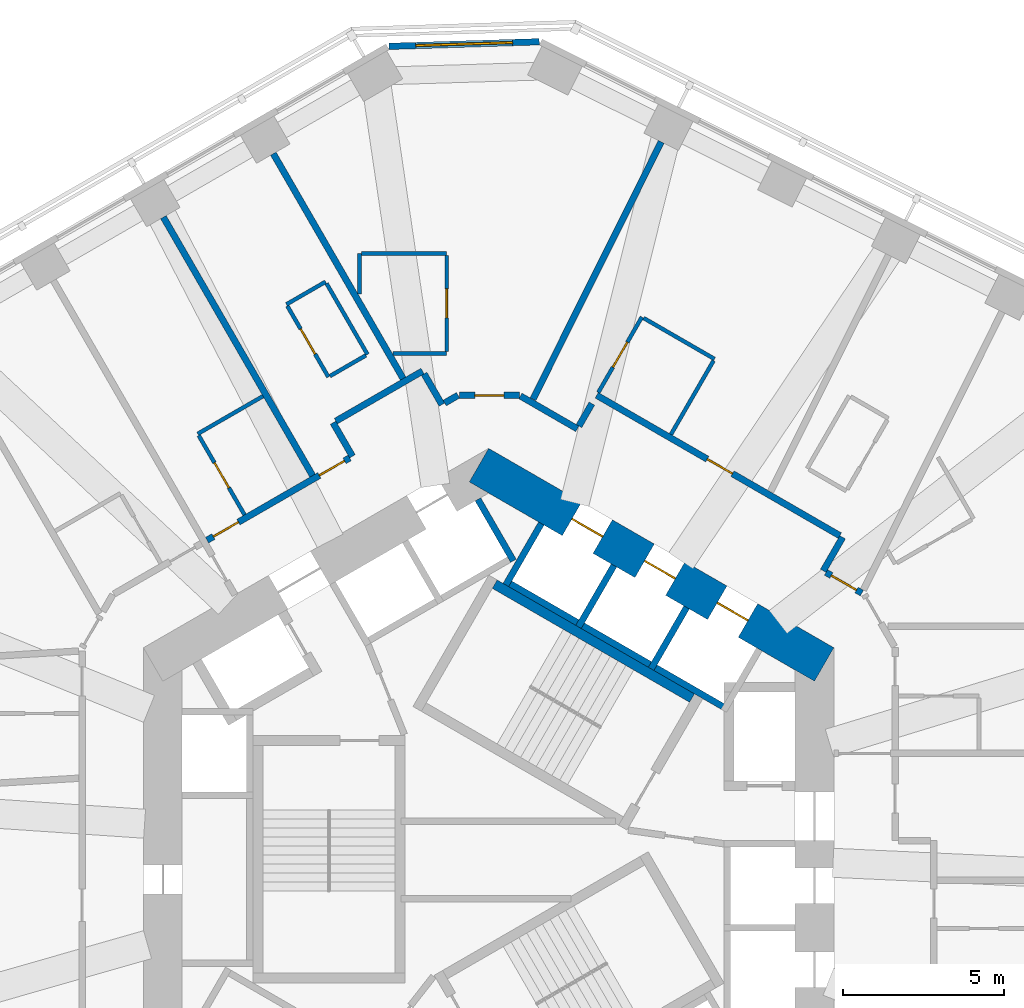
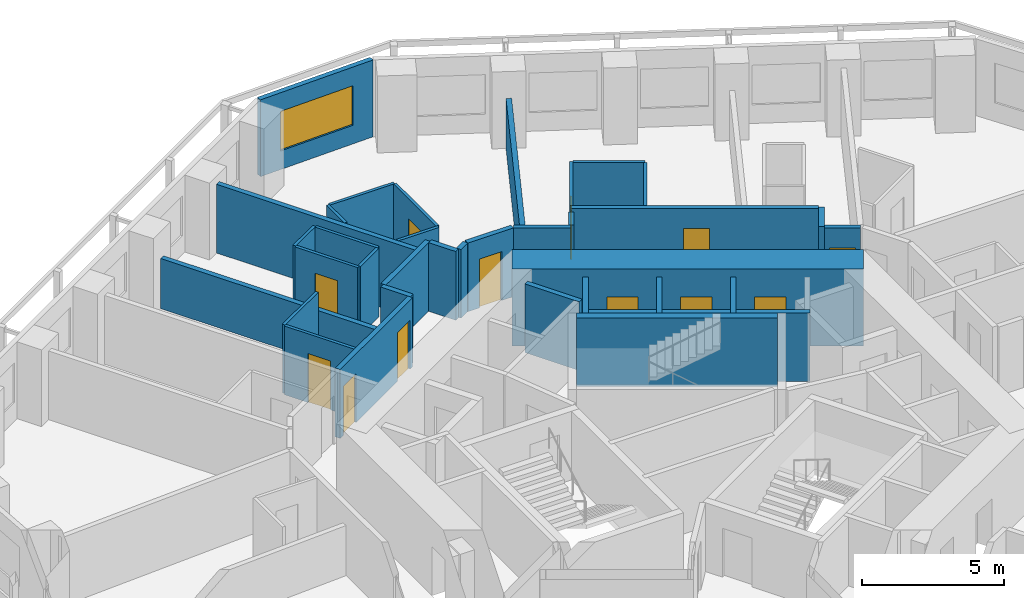
# One storey, part 8 of 12: 35 walls, 12 doors, 1 window, 13 openings.
"""IFC4 building model written with IfcOpenShell, lengths in metres."""

from ifc_helpers import new_model, si_unit, direction, frame, frame_2d, origin, place, context, subcontext, project, spatial, rectangle, extrude, material, layer, layer_set, type_object, element, fill, save


model = new_model("IFC4")

# Units and contexts
model_context = context("Model", 3, precision=1e-05, world=origin(), true_north=direction((0.0, 1.0)))
body_context = subcontext(model_context, "Body", "Model", "MODEL_VIEW")
ifc_project = project(units=[si_unit("LENGTHUNIT", "METRE"), si_unit("AREAUNIT", "SQUARE_METRE"), si_unit("VOLUMEUNIT", "CUBIC_METRE"), si_unit("PLANEANGLEUNIT", "RADIAN"), si_unit("MASSUNIT", "GRAM", prefix="KILO")], contexts=[model_context])

# Site, building, storey
site_placement = place(None, origin())
site = spatial("IfcSite", under=ifc_project, at=site_placement, CompositionType="ELEMENT")
building_placement = place(site_placement, origin())
building = spatial("IfcBuilding", under=site, at=building_placement, Name="Vanh Sen Convention Tower", CompositionType="ELEMENT")
storey_placement = place(building_placement, frame((0.0, 0.0, 73.699951171875)))
storey = spatial("IfcBuildingStorey", under=building, at=storey_placement, Name="L16", CompositionType="ELEMENT", Elevation=73.699951171875)

# Wall
ifc_material_1 = material(Name="Moisture-resistant gypsum board on steel studs", Category="steel")
ifc_layer_1 = layer(ifc_material_1, 0.1201171875)
ifc_layer_set_1 = layer_set([ifc_layer_1], Name="Moisture-resistant gypsum board on steel studs")
wall_type_1 = type_object("IfcWallType", Name="Bathroom partition 120", PredefinedType="PARTITIONING", material=ifc_layer_set_1)
wall_1_placement = place(storey_placement, frame((-9.016357421875, 12.8076171875, 0.0), z_axis=(0.0, 0.0, 1.0), x_axis=(0.86600796803, 0.500030198396, 0.0)))
element("IfcWall", 1, at=wall_1_placement, inside=storey, type_object=wall_type_1, Name="Bathroom partition 120", PredefinedType="PARTITIONING", context=body_context, shape_type="SweptSolid", body=[
    extrude(rectangle(XDim=2.334716796875, YDim=0.1201171875, at=frame_2d((1.16748046875, 0.0))), origin(), (0.0, 0.0, 1.0), 2.949951171875),
])

# Wall, opening, door
wall_2_placement = place(storey_placement, frame((-7.56640625, 10.296142578125, 0.0), z_axis=(0.0, 0.0, 1.0), x_axis=(-0.499985389037, 0.866033839264, 0.0)))
wall_2 = element("IfcWall", 2, at=wall_2_placement, inside=storey, type_object=wall_type_1, Name="Bathroom partition 120", PredefinedType="PARTITIONING", context=body_context, shape_type="SweptSolid", body=[
    extrude(rectangle(XDim=2.83984375, YDim=0.1201171875, at=frame_2d((1.419921875, 0.0))), origin(), (0.0, 0.0, 1.0), 2.949951171875),
])
opening_1_placement = place(wall_2_placement, frame((0.969970703125, 0.0, 0.0)))
opening_1 = element("IfcOpeningElement", 3, at=opening_1_placement, cuts=wall_2, Name="Opening D16117", PredefinedType="OPENING", context=body_context, shape_type="SweptSolid", body=[
    extrude(rectangle(XDim=0.89990234375, YDim=2.10009765625, at=frame_2d((0.449951171875, 1.050048828125))), frame((0.0, 0.070068359375, 0.0), z_axis=(0.0, -1.0, 0.0), x_axis=(1.0, 0.0, 0.0)), (0.0, 0.0, 1.0), 0.14013671875),
])
ifc_material_2 = material(Name="Laminate door in steel frame", Category="steel")
door_type_1 = type_object("IfcDoorType", Name="En-suite door 900", OperationType="SINGLE_SWING_LEFT", PredefinedType="DOOR", material=ifc_material_2)
door_1_placement = place(opening_1_placement, origin())
door_1 = element("IfcDoor", 4, at=door_1_placement, inside=storey, type_object=door_type_1, Name="En-suite door D16117", OperationType="SINGLE_SWING_LEFT", OverallHeight=2.10009765625, OverallWidth=0.89990234375, PredefinedType="DOOR", context=body_context, shape_type="SweptSolid", body=[
    extrude(rectangle(XDim=0.89990234375, YDim=2.10009765625, at=frame_2d((0.449951171875, 1.050048828125))), frame((0.0, 0.02490234375, 0.0), z_axis=(0.0, -1.0, 0.0), x_axis=(1.0, 0.0, 0.0)), (0.0, 0.0, 1.0), 0.050048828125),
])
fill(opening_1, door_1)

# Walls
wall_3_placement = place(storey_placement, frame((-6.268310546875, 16.8203125, 0.0), z_axis=(0.0, 0.0, 1.0), x_axis=(0.866002662425, 0.500039387122, 0.0)))
element("IfcWall", 5, at=wall_3_placement, inside=storey, type_object=wall_type_1, Name="Bathroom partition 120", PredefinedType="PARTITIONING", context=body_context, shape_type="SweptSolid", body=[
    extrude(rectangle(XDim=1.400390625, YDim=0.1201171875, at=frame_2d((0.7001953125, 0.0))), origin(), (0.0, 0.0, 1.0), 2.949951171875),
])
wall_4_placement = place(storey_placement, frame((-5.025634765625, 17.468505859375, 0.0), z_axis=(0.0, 0.0, 1.0), x_axis=(0.500005339912, -0.866022320763, 0.0)))
element("IfcWall", 6, at=wall_4_placement, inside=storey, type_object=wall_type_1, Name="Bathroom partition 120", PredefinedType="PARTITIONING", context=body_context, shape_type="SweptSolid", body=[
    extrude(rectangle(XDim=2.5400390625, YDim=0.1201171875, at=frame_2d((1.27001953125, 0.0))), origin(), (0.0, 0.0, 1.0), 2.949951171875),
])

# Wall, opening, door
wall_5_placement = place(storey_placement, frame((-4.96826171875, 14.56884765625, 0.0), z_axis=(0.0, 0.0, 1.0), x_axis=(-0.500046963369, 0.865998287773, 0.0)))
wall_5 = element("IfcWall", 7, at=wall_5_placement, inside=storey, type_object=wall_type_1, Name="Bathroom partition 120", PredefinedType="PARTITIONING", context=body_context, shape_type="SweptSolid", body=[
    extrude(rectangle(XDim=2.539794921875, YDim=0.1201171875, at=frame_2d((1.27001953125, 0.0))), origin(), (0.0, 0.0, 1.0), 2.949951171875),
])
opening_2_placement = place(wall_5_placement, frame((0.820068359375, 0.0, 0.0)))
opening_2 = element("IfcOpeningElement", 8, at=opening_2_placement, cuts=wall_5, Name="Opening D16115", PredefinedType="OPENING", context=body_context, shape_type="SweptSolid", body=[
    extrude(rectangle(XDim=0.89990234375, YDim=2.10009765625, at=frame_2d((0.449951171875, 1.050048828125))), frame((0.0, 0.070068359375, 0.0), z_axis=(0.0, -1.0, 0.0), x_axis=(1.0, 0.0, 0.0)), (0.0, 0.0, 1.0), 0.14013671875),
])
door_2_placement = place(opening_2_placement, origin())
door_2 = element("IfcDoor", 9, at=door_2_placement, inside=storey, type_object=door_type_1, Name="En-suite door D16115", OperationType="SINGLE_SWING_LEFT", OverallHeight=2.10009765625, OverallWidth=0.89990234375, PredefinedType="DOOR", context=body_context, shape_type="SweptSolid", body=[
    extrude(rectangle(XDim=0.89990234375, YDim=2.10009765625, at=frame_2d((0.449951171875, 1.050048828125))), frame((0.0, 0.02490234375, 0.0), z_axis=(0.0, -1.0, 0.0), x_axis=(1.0, 0.0, 0.0)), (0.0, 0.0, 1.0), 0.050048828125),
])
fill(opening_2, door_2)

# Walls
wall_6_placement = place(storey_placement, frame((-4.0, 17.137451171875, 0.0), z_axis=(0.0, 0.0, 1.0), x_axis=(0.0, 1.0, 0.0)))
element("IfcWall", 10, at=wall_6_placement, inside=storey, type_object=wall_type_1, Name="Bathroom partition 120", PredefinedType="PARTITIONING", context=body_context, shape_type="SweptSolid", body=[
    extrude(rectangle(XDim=1.26318359375, YDim=0.1201171875, at=frame_2d((0.631591796875, 0.0))), origin(), (0.0, 0.0, 1.0), 2.949951171875),
])
wall_7_placement = place(storey_placement, frame((-3.93994140625, 18.400634765625, 0.0), z_axis=(0.0, 0.0, 1.0), x_axis=(1.0, 0.0, 0.0)))
element("IfcWall", 11, at=wall_7_placement, inside=storey, type_object=wall_type_1, Name="Bathroom partition 120", PredefinedType="PARTITIONING", context=body_context, shape_type="SweptSolid", body=[
    extrude(rectangle(XDim=2.639892578125, YDim=0.1201171875, at=frame_2d((1.31982421875, 0.0))), origin(), (0.0, 0.0, 1.0), 2.949951171875),
])
wall_8_placement = place(storey_placement, frame((-3.8076171875, 15.23876953125, 0.0), z_axis=(0.0, 0.0, 1.0), x_axis=(-0.866087136806, -0.499893060024, 0.0)))
element("IfcWall", 12, at=wall_8_placement, inside=storey, type_object=wall_type_1, Name="Bathroom partition 120", PredefinedType="PARTITIONING", context=body_context, shape_type="SweptSolid", body=[
    extrude(rectangle(XDim=1.280029296875, YDim=0.1201171875, at=frame_2d((0.64013671875, 0.0))), origin(), (0.0, 0.0, 1.0), 2.949951171875),
])
wall_9_placement = place(storey_placement, frame((-1.300048828125, 15.30078125, 0.0), z_axis=(0.0, 0.0, 1.0), x_axis=(-1.0, 0.0, 0.0)))
element("IfcWall", 13, at=wall_9_placement, inside=storey, type_object=wall_type_1, Name="Bathroom partition 120", PredefinedType="PARTITIONING", context=body_context, shape_type="SweptSolid", body=[
    extrude(rectangle(XDim=1.6611328125, YDim=0.1201171875, at=frame_2d((0.83056640625, 0.0))), origin(), (0.0, 0.0, 1.0), 2.949951171875),
])

# Wall, opening, door
wall_10_placement = place(storey_placement, frame((-1.300048828125, 18.3408203125, 0.0), z_axis=(0.0, 0.0, 1.0), x_axis=(0.0, -1.0, 0.0)))
wall_10 = element("IfcWall", 14, at=wall_10_placement, inside=storey, type_object=wall_type_1, Name="Bathroom partition 120", PredefinedType="PARTITIONING", context=body_context, shape_type="SweptSolid", body=[
    extrude(rectangle(XDim=2.980224609375, YDim=0.1201171875, at=frame_2d((1.490234375, 0.0))), origin(), (0.0, 0.0, 1.0), 2.949951171875),
])
opening_3_placement = place(wall_10_placement, frame((1.0400390625, 0.0, 0.0)))
opening_3 = element("IfcOpeningElement", 15, at=opening_3_placement, cuts=wall_10, Name="Opening D16113", PredefinedType="OPENING", context=body_context, shape_type="SweptSolid", body=[
    extrude(rectangle(XDim=0.89990234375, YDim=2.10009765625, at=frame_2d((0.449951171875, 1.050048828125))), frame((0.0, 0.070068359375, 0.0), z_axis=(0.0, -1.0, 0.0), x_axis=(1.0, 0.0, 0.0)), (0.0, 0.0, 1.0), 0.14013671875),
])
door_3_placement = place(opening_3_placement, origin())
door_3 = element("IfcDoor", 16, at=door_3_placement, inside=storey, type_object=door_type_1, Name="En-suite door D16113", OperationType="SINGLE_SWING_LEFT", OverallHeight=2.10009765625, OverallWidth=0.89990234375, PredefinedType="DOOR", context=body_context, shape_type="SweptSolid", body=[
    extrude(rectangle(XDim=0.89990234375, YDim=2.10009765625, at=frame_2d((0.449951171875, 1.050048828125))), frame((0.0, 0.02490234375, 0.0), z_axis=(0.0, -1.0, 0.0), x_axis=(1.0, 0.0, 0.0)), (0.0, 0.0, 1.0), 0.050048828125),
])
fill(opening_3, door_3)

wall_11_placement = place(storey_placement, frame((3.39892578125, 14.089111328125, 0.0), z_axis=(0.0, 0.0, 1.0), x_axis=(0.4999416173, 0.866059108428, 0.0)))
wall_11 = element("IfcWall", 17, at=wall_11_placement, inside=storey, type_object=wall_type_1, Name="Bathroom partition 120", PredefinedType="PARTITIONING", context=body_context, shape_type="SweptSolid", body=[
    extrude(rectangle(XDim=2.699951171875, YDim=0.1201171875, at=frame_2d((1.35009765625, 0.0))), origin(), (0.0, 0.0, 1.0), 2.949951171875),
])
opening_4_placement = place(wall_11_placement, frame((0.89990234375, 0.0, 0.0)))
opening_4 = element("IfcOpeningElement", 18, at=opening_4_placement, cuts=wall_11, Name="Opening D16111", PredefinedType="OPENING", context=body_context, shape_type="SweptSolid", body=[
    extrude(rectangle(XDim=0.89990234375, YDim=2.10009765625, at=frame_2d((0.449951171875, 1.050048828125))), frame((0.0, 0.070068359375, 0.0), z_axis=(0.0, -1.0, 0.0), x_axis=(1.0, 0.0, 0.0)), (0.0, 0.0, 1.0), 0.14013671875),
])
door_4_placement = place(opening_4_placement, origin())
door_4 = element("IfcDoor", 19, at=door_4_placement, inside=storey, type_object=door_type_1, Name="En-suite door D16111", OperationType="SINGLE_SWING_LEFT", OverallHeight=2.10009765625, OverallWidth=0.89990234375, PredefinedType="DOOR", context=body_context, shape_type="SweptSolid", body=[
    extrude(rectangle(XDim=0.89990234375, YDim=2.10009765625, at=frame_2d((0.449951171875, 1.050048828125))), frame((0.0, 0.02490234375, 0.0), z_axis=(0.0, -1.0, 0.0), x_axis=(1.0, 0.0, 0.0)), (0.0, 0.0, 1.0), 0.050048828125),
])
fill(opening_4, door_4)

# Walls
wall_12_placement = place(storey_placement, frame((4.80078125, 16.3974609375, 0.0), z_axis=(0.0, 0.0, 1.0), x_axis=(0.866022320763, -0.500005339912, 0.0)))
element("IfcWall", 20, at=wall_12_placement, inside=storey, type_object=wall_type_1, Name="Bathroom partition 120", PredefinedType="PARTITIONING", context=body_context, shape_type="SweptSolid", body=[
    extrude(rectangle(XDim=2.5400390625, YDim=0.1201171875, at=frame_2d((1.27001953125, 0.0))), origin(), (0.0, 0.0, 1.0), 2.949951171875),
])
wall_13_placement = place(storey_placement, frame((6.970703125, 15.075439453125, 0.0), z_axis=(0.0, 0.0, 1.0), x_axis=(-0.500007957085, -0.86602080971, 0.0)))
element("IfcWall", 21, at=wall_13_placement, inside=storey, type_object=wall_type_1, Name="Bathroom partition 120", PredefinedType="PARTITIONING", context=body_context, shape_type="SweptSolid", body=[
    extrude(rectangle(XDim=2.64013671875, YDim=0.1201171875, at=frame_2d((1.320068359375, 0.0))), origin(), (0.0, 0.0, 1.0), 2.949951171875),
])

# Wall, openings, doors
ifc_material_3 = material(Name="Concrete C80/95", Category="concrete")
ifc_layer_2 = layer(ifc_material_3, 1.199951171875)
ifc_layer_set_2 = layer_set([ifc_layer_2], Name="Concrete C80/95")
wall_type_2 = type_object("IfcWallType", Name="Core outer wall 1200 C80/95", PredefinedType="SHEAR", material=ifc_layer_set_2)
wall_14_placement = place(storey_placement, frame((10.39990234375, 5.657958984375, 0.0), z_axis=(0.0, 0.0, 1.0), x_axis=(-0.866021384402, 0.500006961711, 0.0)))
wall_14 = element("IfcWall", 22, at=wall_14_placement, inside=storey, type_object=wall_type_2, Name="Core wall face NE L16", PredefinedType="SHEAR", context=body_context, shape_type="SweptSolid", body=[
    extrude(rectangle(XDim=12.355224609375, YDim=1.199951171875, at=frame_2d((6.177734375, 0.0))), origin(), (0.0, 0.0, 1.0), 3.300048828125),
])
opening_5_placement = place(wall_14_placement, frame((2.727783203125, 0.0, 0.0)))
opening_5 = element("IfcOpeningElement", 23, at=opening_5_placement, cuts=wall_14, Name="Opening LD-LR3", PredefinedType="OPENING", context=body_context, shape_type="SweptSolid", body=[
    extrude(rectangle(XDim=1.10009765625, YDim=2.10009765625, at=frame_2d((0.550048828125, 1.050048828125))), frame((0.0, 0.60986328125, 0.0), z_axis=(0.0, -1.0, 0.0), x_axis=(1.0, 0.0, 0.0)), (0.0, 0.0, 1.0), 1.219970703125),
])
opening_6_placement = place(wall_14_placement, frame((5.32763671875, 0.0, 0.0)))
opening_6 = element("IfcOpeningElement", 24, at=opening_6_placement, cuts=wall_14, Name="Opening LD-LR4", PredefinedType="OPENING", context=body_context, shape_type="SweptSolid", body=[
    extrude(rectangle(XDim=1.10009765625, YDim=2.10009765625, at=frame_2d((0.550048828125, 1.050048828125))), frame((0.0, 0.60986328125, 0.0), z_axis=(0.0, -1.0, 0.0), x_axis=(1.0, 0.0, 0.0)), (0.0, 0.0, 1.0), 1.219970703125),
])
opening_7_placement = place(wall_14_placement, frame((7.927734375, 0.0, 0.0)))
opening_7 = element("IfcOpeningElement", 25, at=opening_7_placement, cuts=wall_14, Name="Opening LD-LR5", PredefinedType="OPENING", context=body_context, shape_type="SweptSolid", body=[
    extrude(rectangle(XDim=1.10009765625, YDim=2.10009765625, at=frame_2d((0.550048828125, 1.050048828125))), frame((0.0, 0.60986328125, 0.0), z_axis=(0.0, -1.0, 0.0), x_axis=(1.0, 0.0, 0.0)), (0.0, 0.0, 1.0), 1.219970703125),
])
ifc_material_4 = material(Name="Stainless steel", Category="steel")
door_type_2 = type_object("IfcDoorType", Name="Lift landing door 1100", OperationType="DOUBLE_DOOR_SLIDING", PredefinedType="DOOR", material=ifc_material_4)
door_5_placement = place(opening_5_placement, origin())
door_5 = element("IfcDoor", 26, at=door_5_placement, inside=storey, type_object=door_type_2, Name="Lift LR3 landing door LD-LR3", OperationType="DOUBLE_DOOR_SLIDING", OverallHeight=2.10009765625, OverallWidth=1.10009765625, PredefinedType="DOOR", context=body_context, shape_type="SweptSolid", body=[
    extrude(rectangle(XDim=1.10009765625, YDim=2.10009765625, at=frame_2d((0.550048828125, 1.050048828125))), frame((0.0, 0.02490234375, 0.0), z_axis=(0.0, -1.0, 0.0), x_axis=(1.0, 0.0, 0.0)), (0.0, 0.0, 1.0), 0.050048828125),
])
fill(opening_5, door_5)
door_6_placement = place(opening_6_placement, origin())
door_6 = element("IfcDoor", 27, at=door_6_placement, inside=storey, type_object=door_type_2, Name="Lift LR4 landing door LD-LR4", OperationType="DOUBLE_DOOR_SLIDING", OverallHeight=2.10009765625, OverallWidth=1.10009765625, PredefinedType="DOOR", context=body_context, shape_type="SweptSolid", body=[
    extrude(rectangle(XDim=1.10009765625, YDim=2.10009765625, at=frame_2d((0.550048828125, 1.050048828125))), frame((0.0, 0.02490234375, 0.0), z_axis=(0.0, -1.0, 0.0), x_axis=(1.0, 0.0, 0.0)), (0.0, 0.0, 1.0), 0.050048828125),
])
fill(opening_6, door_6)
door_7_placement = place(opening_7_placement, origin())
door_7 = element("IfcDoor", 28, at=door_7_placement, inside=storey, type_object=door_type_2, Name="Lift LR5 landing door LD-LR5", OperationType="DOUBLE_DOOR_SLIDING", OverallHeight=2.10009765625, OverallWidth=1.10009765625, PredefinedType="DOOR", context=body_context, shape_type="SweptSolid", body=[
    extrude(rectangle(XDim=1.10009765625, YDim=2.10009765625, at=frame_2d((0.550048828125, 1.050048828125))), frame((0.0, 0.02490234375, 0.0), z_axis=(0.0, -1.0, 0.0), x_axis=(1.0, 0.0, 0.0)), (0.0, 0.0, 1.0), 0.050048828125),
])
fill(opening_7, door_7)

# Wall
ifc_material_5 = material(Name="Gypsum board on steel studs with mineral wool", Category="steel")
ifc_layer_3 = layer(ifc_material_5, 0.199951171875)
ifc_layer_set_3 = layer_set([ifc_layer_3], Name="Gypsum board on steel studs with mineral wool")
wall_type_3 = type_object("IfcWallType", Name="Corridor partition wall 200", PredefinedType="PARTITIONING", material=ifc_layer_set_3)
wall_15_placement = place(storey_placement, frame((-4.822998046875, 13.151611328125, 0.0), z_axis=(0.0, 0.0, 1.0), x_axis=(0.499986357472, -0.866033280158, 0.0)))
element("IfcWall", 29, at=wall_15_placement, inside=storey, type_object=wall_type_3, Name="Corridor partition wall 200", PredefinedType="PARTITIONING", context=body_context, shape_type="SweptSolid", body=[
    extrude(rectangle(XDim=1.201171875, YDim=0.199951171875, at=frame_2d((0.6005859375, 0.0))), origin(), (0.0, 0.0, 1.0), 2.949951171875),
])

# Wall, openings, doors
wall_16_placement = place(storey_placement, frame((-4.30908203125, 12.061279296875, 0.0), z_axis=(0.0, 0.0, 1.0), x_axis=(-0.866020679205, -0.500008183122, 0.0)))
wall_16 = element("IfcWall", 30, at=wall_16_placement, inside=storey, type_object=wall_type_3, Name="Corridor partition wall 200", PredefinedType="PARTITIONING", context=body_context, shape_type="SweptSolid", body=[
    extrude(rectangle(XDim=5.103515625, YDim=0.199951171875, at=frame_2d((2.5517578125, 0.0))), origin(), (0.0, 0.0, 1.0), 2.949951171875),
])
opening_8_placement = place(wall_16_placement, frame((0.1845703125, 0.0, 0.0)))
opening_8 = element("IfcOpeningElement", 31, at=opening_8_placement, cuts=wall_16, Name="Opening D16114", PredefinedType="OPENING", context=body_context, shape_type="SweptSolid", body=[
    extrude(rectangle(XDim=0.89990234375, YDim=2.10009765625, at=frame_2d((0.449951171875, 1.050048828125))), frame((0.0, 0.10986328125, 0.0), z_axis=(0.0, -1.0, 0.0), x_axis=(1.0, 0.0, 0.0)), (0.0, 0.0, 1.0), 0.219970703125),
])
opening_9_placement = place(wall_16_placement, frame((3.978515625, 0.0, 0.0)))
opening_9 = element("IfcOpeningElement", 32, at=opening_9_placement, cuts=wall_16, Name="Opening D16116", PredefinedType="OPENING", context=body_context, shape_type="SweptSolid", body=[
    extrude(rectangle(XDim=0.89990234375, YDim=2.10009765625, at=frame_2d((0.449951171875, 1.050048828125))), frame((0.0, 0.10986328125, 0.0), z_axis=(0.0, -1.0, 0.0), x_axis=(1.0, 0.0, 0.0)), (0.0, 0.0, 1.0), 0.219970703125),
])
ifc_material_6 = material(Name="Timber fire door in steel frame", Category="steel")
door_type_3 = type_object("IfcDoorType", Name="Guest room door 900", OperationType="SINGLE_SWING_LEFT", PredefinedType="DOOR", material=ifc_material_6)
door_8_placement = place(opening_8_placement, origin())
door_8 = element("IfcDoor", 33, at=door_8_placement, inside=storey, type_object=door_type_3, Name="Hotel guest room door D16114", OperationType="SINGLE_SWING_LEFT", OverallHeight=2.10009765625, OverallWidth=0.89990234375, PredefinedType="DOOR", context=body_context, shape_type="SweptSolid", body=[
    extrude(rectangle(XDim=0.89990234375, YDim=2.10009765625, at=frame_2d((0.449951171875, 1.050048828125))), frame((0.0, 0.02490234375, 0.0), z_axis=(0.0, -1.0, 0.0), x_axis=(1.0, 0.0, 0.0)), (0.0, 0.0, 1.0), 0.050048828125),
])
fill(opening_8, door_8)
door_9_placement = place(opening_9_placement, origin())
door_9 = element("IfcDoor", 34, at=door_9_placement, inside=storey, type_object=door_type_3, Name="Hotel guest room door D16116", OperationType="SINGLE_SWING_LEFT", OverallHeight=2.10009765625, OverallWidth=0.89990234375, PredefinedType="DOOR", context=body_context, shape_type="SweptSolid", body=[
    extrude(rectangle(XDim=0.89990234375, YDim=2.10009765625, at=frame_2d((0.449951171875, 1.050048828125))), frame((0.0, 0.02490234375, 0.0), z_axis=(0.0, -1.0, 0.0), x_axis=(1.0, 0.0, 0.0)), (0.0, 0.0, 1.0), 0.050048828125),
])
fill(opening_9, door_9)

# Walls
wall_17_placement = place(storey_placement, frame((-2.0498046875, 14.75244140625, 0.0), z_axis=(0.0, 0.0, 1.0), x_axis=(-0.866030936828, -0.499990416364, 0.0)))
element("IfcWall", 35, at=wall_17_placement, inside=storey, type_object=wall_type_3, Name="Corridor partition wall 200", PredefinedType="PARTITIONING", context=body_context, shape_type="SweptSolid", body=[
    extrude(rectangle(XDim=3.10205078125, YDim=0.199951171875, at=frame_2d((1.551025390625, 0.0))), origin(), (0.0, 0.0, 1.0), 2.949951171875),
])
wall_18_placement = place(storey_placement, frame((-1.449462890625, 13.71240234375, 0.0), z_axis=(0.0, 0.0, 1.0), x_axis=(-0.499978356969, 0.866037899034, 0.0)))
element("IfcWall", 36, at=wall_18_placement, inside=storey, type_object=wall_type_3, Name="Corridor partition wall 200", PredefinedType="PARTITIONING", context=body_context, shape_type="SweptSolid", body=[
    extrude(rectangle(XDim=1.10107421875, YDim=0.199951171875, at=frame_2d((0.550537109375, 0.0))), origin(), (0.0, 0.0, 1.0), 2.949951171875),
])
wall_19_placement = place(storey_placement, frame((-0.949951171875, 14.000732421875, 0.0), z_axis=(0.0, 0.0, 1.0), x_axis=(-0.86609177584, -0.499885022602, 0.0)))
element("IfcWall", 37, at=wall_19_placement, inside=storey, type_object=wall_type_3, Name="Corridor partition wall 200", PredefinedType="PARTITIONING", context=body_context, shape_type="SweptSolid", body=[
    extrude(rectangle(XDim=0.4765625, YDim=0.199951171875, at=frame_2d((0.23828125, 0.0))), origin(), (0.0, 0.0, 1.0), 2.949951171875),
])

# Wall, opening, door
wall_20_placement = place(storey_placement, frame((0.949951171875, 14.000732421875, 0.0), z_axis=(0.0, 0.0, 1.0), x_axis=(-1.0, 0.0, 0.0)))
wall_20 = element("IfcWall", 38, at=wall_20_placement, inside=storey, type_object=wall_type_3, Name="Corridor partition wall 200", PredefinedType="PARTITIONING", context=body_context, shape_type="SweptSolid", body=[
    extrude(rectangle(XDim=1.85986328125, YDim=0.199951171875, at=frame_2d((0.929931640625, 0.0))), origin(), (0.0, 0.0, 1.0), 2.949951171875),
])
opening_10_placement = place(wall_20_placement, frame((0.47998046875, 0.0, 0.0)))
opening_10 = element("IfcOpeningElement", 39, at=opening_10_placement, cuts=wall_20, Name="Opening D16112", PredefinedType="OPENING", context=body_context, shape_type="SweptSolid", body=[
    extrude(rectangle(XDim=0.89990234375, YDim=2.10009765625, at=frame_2d((0.449951171875, 1.050048828125))), frame((0.0, 0.10986328125, 0.0), z_axis=(0.0, -1.0, 0.0), x_axis=(1.0, 0.0, 0.0)), (0.0, 0.0, 1.0), 0.219970703125),
])
door_10_placement = place(opening_10_placement, origin())
door_10 = element("IfcDoor", 40, at=door_10_placement, inside=storey, type_object=door_type_3, Name="Hotel guest room door D16112", OperationType="SINGLE_SWING_LEFT", OverallHeight=2.10009765625, OverallWidth=0.89990234375, PredefinedType="DOOR", context=body_context, shape_type="SweptSolid", body=[
    extrude(rectangle(XDim=0.89990234375, YDim=2.10009765625, at=frame_2d((0.449951171875, 1.050048828125))), frame((0.0, 0.02490234375, 0.0), z_axis=(0.0, -1.0, 0.0), x_axis=(1.0, 0.0, 0.0)), (0.0, 0.0, 1.0), 0.050048828125),
])
fill(opening_10, door_10)

# Walls
wall_21_placement = place(storey_placement, frame((2.748291015625, 12.96240234375, 0.0), z_axis=(0.0, 0.0, 1.0), x_axis=(-0.866013897511, 0.50001992892, 0.0)))
element("IfcWall", 41, at=wall_21_placement, inside=storey, type_object=wall_type_3, Name="Corridor partition wall 200", PredefinedType="PARTITIONING", context=body_context, shape_type="SweptSolid", body=[
    extrude(rectangle(XDim=2.03662109375, YDim=0.199951171875, at=frame_2d((1.018310546875, 0.0))), origin(), (0.0, 0.0, 1.0), 2.949951171875),
])
wall_22_placement = place(storey_placement, frame((3.198974609375, 13.74267578125, 0.0), z_axis=(0.0, 0.0, 1.0), x_axis=(-0.500170954823, -0.865926680471, 0.0)))
element("IfcWall", 42, at=wall_22_placement, inside=storey, type_object=wall_type_3, Name="Corridor partition wall 200", PredefinedType="PARTITIONING", context=body_context, shape_type="SweptSolid", body=[
    extrude(rectangle(XDim=0.801025390625, YDim=0.199951171875, at=frame_2d((0.400390625, 0.0))), origin(), (0.0, 0.0, 1.0), 2.949951171875),
])
wall_23_placement = place(storey_placement, frame((10.37109375, 8.561279296875, 0.0), z_axis=(0.0, 0.0, 1.0), x_axis=(0.499986357472, 0.866033280158, 0.0)))
element("IfcWall", 43, at=wall_23_placement, inside=storey, type_object=wall_type_3, Name="Corridor partition wall 200", PredefinedType="PARTITIONING", context=body_context, shape_type="SweptSolid", body=[
    extrude(rectangle(XDim=1.201171875, YDim=0.199951171875, at=frame_2d((0.6005859375, 0.0))), origin(), (0.0, 0.0, 1.0), 2.949951171875),
])

# Wall, opening, door
wall_24_placement = place(storey_placement, frame((10.885009765625, 9.651611328125, 0.0), z_axis=(0.0, 0.0, 1.0), x_axis=(-0.866033277307, 0.499986362411, 0.0)))
wall_24 = element("IfcWall", 44, at=wall_24_placement, inside=storey, type_object=wall_type_3, Name="Corridor partition wall 200", PredefinedType="PARTITIONING", context=body_context, shape_type="SweptSolid", body=[
    extrude(rectangle(XDim=8.701904296875, YDim=0.199951171875, at=frame_2d((4.35107421875, 0.0))), origin(), (0.0, 0.0, 1.0), 2.949951171875),
])
opening_11_placement = place(wall_24_placement, frame((3.843505859375, 0.0, 0.0)))
opening_11 = element("IfcOpeningElement", 45, at=opening_11_placement, cuts=wall_24, Name="Opening D16110", PredefinedType="OPENING", context=body_context, shape_type="SweptSolid", body=[
    extrude(rectangle(XDim=0.89990234375, YDim=2.10009765625, at=frame_2d((0.449951171875, 1.050048828125))), frame((0.0, 0.10986328125, 0.0), z_axis=(0.0, -1.0, 0.0), x_axis=(1.0, 0.0, 0.0)), (0.0, 0.0, 1.0), 0.219970703125),
])
door_11_placement = place(opening_11_placement, origin())
door_11 = element("IfcDoor", 46, at=door_11_placement, inside=storey, type_object=door_type_3, Name="Hotel guest room door D16110", OperationType="SINGLE_SWING_LEFT", OverallHeight=2.10009765625, OverallWidth=0.89990234375, PredefinedType="DOOR", context=body_context, shape_type="SweptSolid", body=[
    extrude(rectangle(XDim=0.89990234375, YDim=2.10009765625, at=frame_2d((0.449951171875, 1.050048828125))), frame((0.0, 0.02490234375, 0.0), z_axis=(0.0, -1.0, 0.0), x_axis=(1.0, 0.0, 0.0)), (0.0, 0.0, 1.0), 0.050048828125),
])
fill(opening_11, door_11)

wall_25_placement = place(storey_placement, frame((11.56640625, 7.871337890625, 0.0), z_axis=(0.0, 0.0, 1.0), x_axis=(-0.866004557827, 0.500036104519, 0.0)))
wall_25 = element("IfcWall", 47, at=wall_25_placement, inside=storey, type_object=wall_type_3, Name="Corridor partition wall 200", PredefinedType="PARTITIONING", context=body_context, shape_type="SweptSolid", body=[
    extrude(rectangle(XDim=1.2802734375, YDim=0.199951171875, at=frame_2d((0.64013671875, 0.0))), origin(), (0.0, 0.0, 1.0), 2.949951171875),
])
opening_12_placement = place(wall_25_placement, frame((0.190185546875, 0.0, 0.0)))
opening_12 = element("IfcOpeningElement", 48, at=opening_12_placement, cuts=wall_25, Name="Opening D16108", PredefinedType="OPENING", context=body_context, shape_type="SweptSolid", body=[
    extrude(rectangle(XDim=0.89990234375, YDim=2.10009765625, at=frame_2d((0.449951171875, 1.050048828125))), frame((0.0, 0.10986328125, 0.0), z_axis=(0.0, -1.0, 0.0), x_axis=(1.0, 0.0, 0.0)), (0.0, 0.0, 1.0), 0.219970703125),
])
door_12_placement = place(opening_12_placement, origin())
door_12 = element("IfcDoor", 49, at=door_12_placement, inside=storey, type_object=door_type_3, Name="Hotel guest room door D16108", OperationType="SINGLE_SWING_LEFT", OverallHeight=2.10009765625, OverallWidth=0.89990234375, PredefinedType="DOOR", context=body_context, shape_type="SweptSolid", body=[
    extrude(rectangle(XDim=0.89990234375, YDim=2.10009765625, at=frame_2d((0.449951171875, 1.050048828125))), frame((0.0, 0.02490234375, 0.0), z_axis=(0.0, -1.0, 0.0), x_axis=(1.0, 0.0, 0.0)), (0.0, 0.0, 1.0), 0.050048828125),
])
fill(opening_12, door_12)

# Wall, opening, window
ifc_material_7 = material(Name="Insulated lightweight infill wall")
ifc_layer_4 = layer(ifc_material_7, 0.199951171875)
ifc_layer_set_4 = layer_set([ifc_layer_4], Name="Insulated lightweight infill wall")
wall_type_4 = type_object("IfcWallType", Name="External wall 200", PredefinedType="STANDARD", material=ifc_layer_set_4)
wall_26_placement = place(storey_placement, frame((1.568359375, 24.9609375, 0.0), z_axis=(0.0, 0.0, 1.0), x_axis=(-0.999533359013, -0.030546099927, 0.0)))
wall_26 = element("IfcWall", 50, at=wall_26_placement, inside=storey, type_object=wall_type_4, Name="External wall CH2 L16", PredefinedType="STANDARD", context=body_context, shape_type="SweptSolid", body=[
    extrude(rectangle(XDim=4.65966796875, YDim=0.199951171875, at=frame_2d((2.329833984375, 0.0))), origin(), (0.0, 0.0, 1.0), 3.300048828125),
])
opening_13_placement = place(wall_26_placement, frame((0.829833984375, 0.0, 0.800048828125)))
opening_13 = element("IfcOpeningElement", 51, at=opening_13_placement, cuts=wall_26, Name="Opening WH2-CH21", PredefinedType="OPENING", context=body_context, shape_type="SweptSolid", body=[
    extrude(rectangle(XDim=3.0, YDim=1.699951171875, at=frame_2d((1.5, 0.85009765625))), frame((0.0, 0.10986328125, 0.0), z_axis=(0.0, -1.0, 0.0), x_axis=(1.0, 0.0, 0.0)), (0.0, 0.0, 1.0), 0.219970703125),
])
ifc_material_8 = material(Name="Aluminium frame with clear low-emissivity glass", Category="aluminium")
window_type = type_object("IfcWindowType", Name="Hotel window 3000 x 1700", PartitioningType="SINGLE_PANEL", PredefinedType="WINDOW", material=ifc_material_8)
window_placement = place(opening_13_placement, origin())
window = element("IfcWindow", 52, at=window_placement, inside=storey, type_object=window_type, Name="Window WH2-CH21", OverallHeight=1.699951171875, OverallWidth=3.0, PartitioningType="SINGLE_PANEL", PredefinedType="WINDOW", context=body_context, shape_type="SweptSolid", body=[
    extrude(rectangle(XDim=3.0, YDim=1.699951171875, at=frame_2d((1.5, 0.85009765625))), frame((0.0, 0.030029296875, 0.0), z_axis=(0.0, -1.0, 0.0), x_axis=(1.0, 0.0, 0.0)), (0.0, 0.0, 1.0), 0.06005859375),
])
fill(opening_13, window)

# Walls
ifc_layer_5 = layer(ifc_material_5, 0.199951171875)
ifc_layer_set_5 = layer_set([ifc_layer_5], Name="Gypsum board on steel studs with mineral wool")
wall_type_5 = type_object("IfcWallType", Name="Hotel party wall 200", PredefinedType="PARTITIONING", material=ifc_layer_set_5)
wall_27_placement = place(storey_placement, frame((-10.0830078125, 19.5244140625, 0.0), z_axis=(0.0, 0.0, 1.0), x_axis=(0.499999662836, -0.866025598446, 0.0)))
element("IfcWall", 53, at=wall_27_placement, inside=storey, type_object=wall_type_5, Name="Hotel party wall 200", PredefinedType="PARTITIONING", context=body_context, shape_type="SweptSolid", body=[
    extrude(rectangle(XDim=9.25, YDim=0.199951171875, at=frame_2d((4.625, 0.0))), origin(), (0.0, 0.0, 1.0), 2.150146484375),
])
wall_28_placement = place(storey_placement, frame((-6.675537109375, 21.49169921875, 0.0), z_axis=(0.0, 0.0, 1.0), x_axis=(0.500011263043, -0.866018900966, 0.0)))
element("IfcWall", 54, at=wall_28_placement, inside=storey, type_object=wall_type_5, Name="Hotel party wall 200", PredefinedType="PARTITIONING", context=body_context, shape_type="SweptSolid", body=[
    extrude(rectangle(XDim=8.049072265625, YDim=0.199951171875, at=frame_2d((4.0244140625, 0.0))), origin(), (0.0, 0.0, 1.0), 2.949951171875),
])
wall_29_placement = place(storey_placement, frame((5.35107421875, 21.859130859375, 0.0), z_axis=(0.0, 0.0, 1.0), x_axis=(-0.446205309328, -0.894930624086, 0.0)))
element("IfcWall", 55, at=wall_29_placement, inside=storey, type_object=wall_type_5, Name="Hotel party wall 200", PredefinedType="PARTITIONING", context=body_context, shape_type="SweptSolid", body=[
    extrude(rectangle(XDim=8.9130859375, YDim=0.199951171875, at=frame_2d((4.45654296875, 0.0))), origin(), (0.0, 0.0, 1.0), 2.150146484375),
])
ifc_material_9 = material(Name="Concrete C40/50", Category="concrete")
ifc_layer_6 = layer(ifc_material_9, 0.199951171875)
ifc_layer_set_6 = layer_set([ifc_layer_6], Name="Concrete C40/50")
wall_type_6 = type_object("IfcWallType", Name="Lift shaft wall 200", PredefinedType="PARTITIONING", material=ifc_layer_set_6)
wall_30_placement = place(storey_placement, frame((7.423828125, 4.258544921875, 0.0), z_axis=(0.0, 0.0, 1.0), x_axis=(-0.866026010844, 0.49999894854, 0.0)))
element("IfcWall", 56, at=wall_30_placement, inside=storey, type_object=wall_type_6, Name="Lift shaft wall L16", PredefinedType="PARTITIONING", context=body_context, shape_type="SweptSolid", body=[
    extrude(rectangle(XDim=8.0, YDim=0.199951171875, at=frame_2d((4.0, 0.0))), origin(), (0.0, 0.0, 1.0), 2.949951171875),
])
for number, where, z_axis, x_axis, name in (
    (57, (5.03564453125, 5.52197265625, 0.0), (0.0, 0.0, 1.0), (0.499946605688, 0.86605622881, 0.0), "Lift shaft wall L16"),
    (58, (2.783935546875, 6.822021484375, 0.0), (0.0, 0.0, 1.0), (0.50002983664, 0.866008176907, 0.0), "Lift shaft wall L16"),
    (59, (0.5322265625, 8.1220703125, 0.0), (0.0, 0.0, 1.0), (0.500077893725, 0.86598042715, 0.0), "Lift shaft wall L16"),
):
    element("IfcWall", number, at=place(storey_placement, frame(where, z_axis=z_axis, x_axis=x_axis)), inside=storey, type_object=wall_type_6, Name=name, PredefinedType="PARTITIONING", context=body_context, shape_type="SweptSolid", body=[
        extrude(rectangle(XDim=2.199951171875, YDim=0.199951171875, at=frame_2d((1.10009765625, 0.0))), origin(), (0.0, 0.0, 1.0), 2.949951171875),
    ])
wall_31_placement = place(storey_placement, frame((0.7666015625, 8.8720703125, 0.0), z_axis=(0.0, 0.0, 1.0), x_axis=(-0.499994660107, 0.866028486751, 0.0)))
element("IfcWall", 60, at=wall_31_placement, inside=storey, type_object=wall_type_6, Name="Lift shaft wall L16", PredefinedType="PARTITIONING", context=body_context, shape_type="SweptSolid", body=[
    extrude(rectangle(XDim=2.19970703125, YDim=0.199951171875, at=frame_2d((1.099853515625, 0.0))), origin(), (0.0, 0.0, 1.0), 2.949951171875),
])
ifc_material_10 = material(Name="Concrete C60/75", Category="concrete")
ifc_layer_7 = layer(ifc_material_10, 0.300048828125)
ifc_layer_set_7 = layer_set([ifc_layer_7], Name="Concrete C60/75")
wall_type_7 = type_object("IfcWallType", Name="Stair wall 300", PredefinedType="SHEAR", material=ifc_layer_set_7)
wall_32_placement = place(storey_placement, frame((6.302978515625, 4.6171875, 0.0), z_axis=(0.0, 0.0, 1.0), x_axis=(-0.866027801685, 0.499995846692, 0.0)))
element("IfcWall", 61, at=wall_32_placement, inside=storey, type_object=wall_type_7, Name="Stair wall L16", PredefinedType="SHEAR", context=body_context, shape_type="SweptSolid", body=[
    extrude(rectangle(XDim=7.06005859375, YDim=0.300048828125, at=frame_2d((3.530029296875, 0.0))), origin(), (0.0, 0.0, 1.0), 2.949951171875),
])

save(model, "model.ifc")
